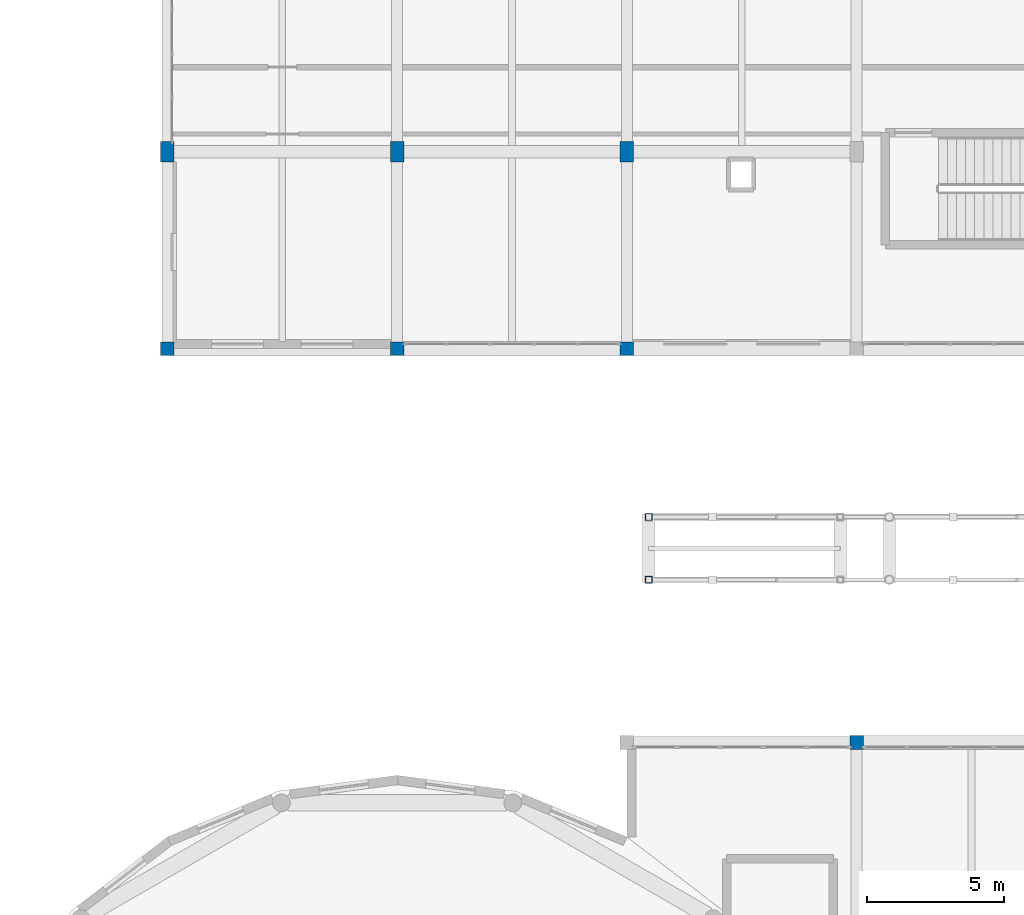
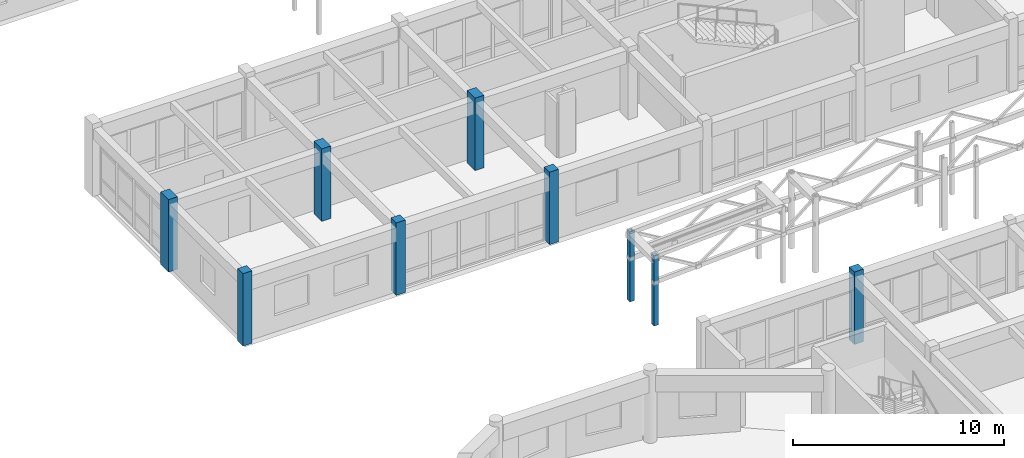
# One storey, part 2 of 147: 9 columns.
"""IFC4 building model written with IfcOpenShell, lengths in metres."""

from ifc_helpers import new_model, si_unit, direction, frame, origin, origin_2d, place, context, subcontext, project, spatial, rectangle, hollow_rectangle, extrude, material, material_profile, profile_set, type_object, element, save


model = new_model("IFC4")

# Units and contexts
model_context = context("Model", 3, precision=1e-05, world=origin(), true_north=direction((0.0, 1.0)))
body_context = subcontext(model_context, "Body", "Model", "MODEL_VIEW")
ifc_project = project(units=[si_unit("LENGTHUNIT", "METRE"), si_unit("AREAUNIT", "SQUARE_METRE"), si_unit("VOLUMEUNIT", "CUBIC_METRE"), si_unit("PLANEANGLEUNIT", "RADIAN"), si_unit("MASSUNIT", "GRAM", prefix="KILO")], contexts=[model_context])

# Site, building, storey
site_placement = place(None, origin())
site = spatial("IfcSite", under=ifc_project, at=site_placement, CompositionType="ELEMENT")
building_placement = place(site_placement, origin())
building = spatial("IfcBuilding", under=site, at=building_placement, Name="Malvenik Polytechnic", CompositionType="ELEMENT")
storey_placement = place(building_placement, frame((0.0, 0.0, 5.10009765625)))
storey = spatial("IfcBuildingStorey", under=building, at=storey_placement, Name="L01", CompositionType="ELEMENT", Elevation=5.10009765625)

# Columns
ifc_material_1 = material(Name="Concrete C35/45", Category="concrete")
ifc_material_profile_1 = material_profile(ifc_material_1, rectangle(XDim=0.5, YDim=0.5, at=origin_2d()), Name="RC COL 500x500")
ifc_profile_set_1 = profile_set([ifc_material_profile_1], Name="Concrete C35/45")
column_type_1 = type_object("IfcColumnType", Name="STR-COL-C-08", PredefinedType="COLUMN", material=ifc_profile_set_1)
for number, where, z_axis, x_axis, name in (
    (1, (8.39990234375, 50.39990234375, 0.0), (0.0, 0.0, 1.0), (1.0, 0.0, 0.0), "Column C-08 L01 (8.4,50.4)"),
    (2, (16.800048828125, 50.39990234375, 0.0), (0.0, 0.0, 1.0), (1.0, 0.0, 0.0), "Column C-08 L01 (16.8,50.4)"),
    (3, (25.199951171875, 50.39990234375, 0.0), (0.0, 0.0, 1.0), (1.0, 0.0, 0.0), "Column C-08 L01 (25.2,50.4)"),
    (4, (33.60009765625, 36.0, 0.0), (0.0, 0.0, 1.0), (1.0, 0.0, 0.0), "Column C-08 L01 (33.6,36.0)"),
):
    element("IfcColumn", number, at=place(storey_placement, frame(where, z_axis=z_axis, x_axis=x_axis)), inside=storey, type_object=column_type_1, Name=name, PredefinedType="COLUMN", context=body_context, shape_type="SweptSolid", body=[
        extrude(rectangle(XDim=0.5, YDim=0.5, at=origin_2d()), origin(), (0.0, 0.0, 1.0), 4.199951171875),
    ])
ifc_material_profile_2 = material_profile(ifc_material_1, rectangle(XDim=0.5, YDim=0.75, at=origin_2d()), Name="RC COL 750x500")
ifc_profile_set_2 = profile_set([ifc_material_profile_2], Name="Concrete C35/45")
column_type_2 = type_object("IfcColumnType", Name="STR-COL-C-14", PredefinedType="COLUMN", material=ifc_profile_set_2)
for number, where, z_axis, x_axis, name in (
    (5, (8.39990234375, 57.60009765625, 0.0), (0.0, 0.0, 1.0), (1.0, 0.0, 0.0), "Column C-14 L01 (8.4,57.6)"),
    (6, (16.800048828125, 57.60009765625, 0.0), (0.0, 0.0, 1.0), (1.0, 0.0, 0.0), "Column C-14 L01 (16.8,57.6)"),
    (7, (25.199951171875, 57.60009765625, 0.0), (0.0, 0.0, 1.0), (1.0, 0.0, 0.0), "Column C-14 L01 (25.2,57.6)"),
):
    element("IfcColumn", number, at=place(storey_placement, frame(where, z_axis=z_axis, x_axis=x_axis)), inside=storey, type_object=column_type_2, Name=name, PredefinedType="COLUMN", context=body_context, shape_type="SweptSolid", body=[
        extrude(rectangle(XDim=0.5, YDim=0.75, at=origin_2d()), origin(), (0.0, 0.0, 1.0), 4.199951171875),
    ])
ifc_material_2 = material(Name="Steel S355J2H", Category="steel")
ifc_material_profile_3 = material_profile(ifc_material_2, hollow_rectangle(XDim=0.25, YDim=0.25, WallThickness=0.010009765625, at=origin_2d()), Name="SHS 250x250x10.0")
ifc_profile_set_3 = profile_set([ifc_material_profile_3], Name="Steel S355J2H")
column_type_3 = type_object("IfcColumnType", Name="STR-SCOL-SC-01", PredefinedType="COLUMN", material=ifc_profile_set_3)
for number, where, z_axis, x_axis, name in (
    (8, (26.0, 41.949951171875, 0.0), (0.0, 0.0, 1.0), (1.0, 0.0, 0.0), "Bridge-Ramp Support Column SC-01 L01"),
    (9, (26.0, 44.25, 0.0), (0.0, 0.0, 1.0), (1.0, 0.0, 0.0), "Bridge-Ramp Support Column SC-01 L01"),
):
    element("IfcColumn", number, at=place(storey_placement, frame(where, z_axis=z_axis, x_axis=x_axis)), inside=storey, type_object=column_type_3, Name=name, PredefinedType="COLUMN", context=body_context, shape_type="SweptSolid", body=[
        extrude(hollow_rectangle(XDim=0.25, YDim=0.25, WallThickness=0.010009765625, at=origin_2d()), origin(), (0.0, 0.0, 1.0), 4.059814453125),
    ])

save(model, "model.ifc")
